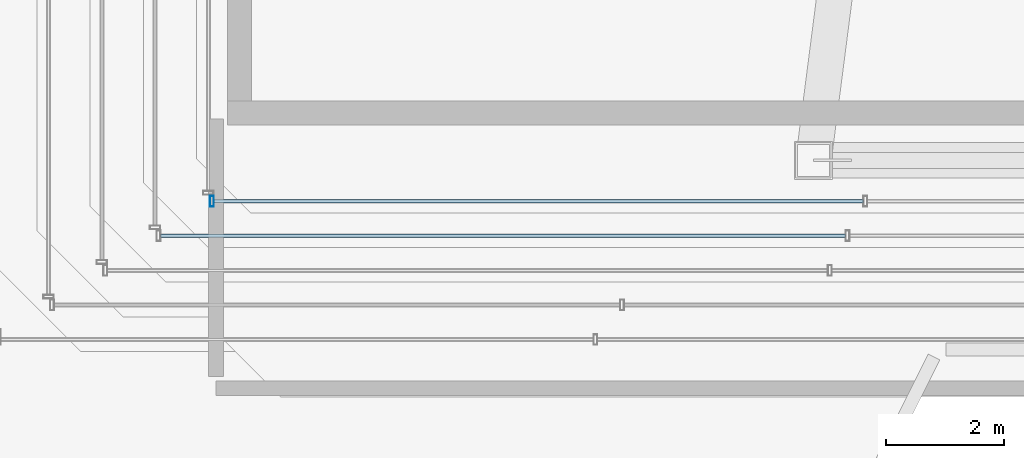
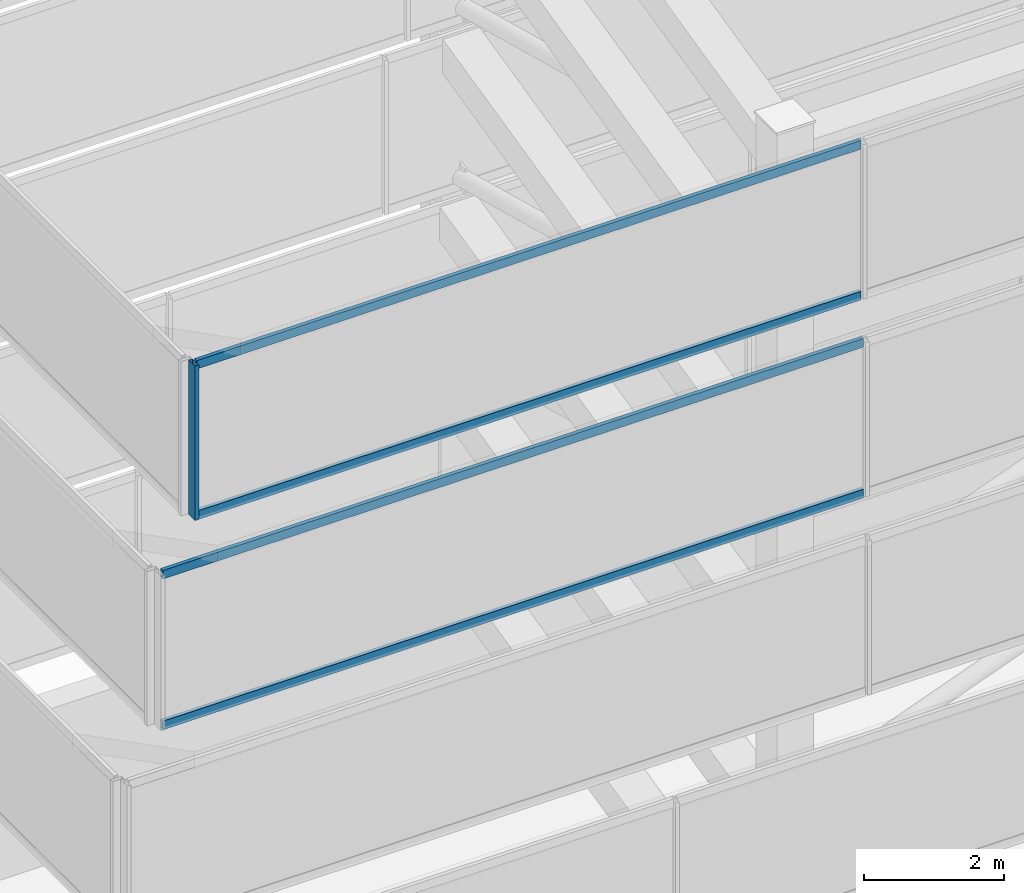
# One storey, part 3 of 29: 5 members, 2 elements without a shape of their own.
"""IFC4 building model written with IfcOpenShell, lengths in metres."""

from ifc_helpers import new_model, si_unit, direction, frame, origin, origin_2d, place, context, subcontext, project, spatial, hollow_rectangle, extrude, material, material_profile, profile_set, type_object, element, aggregate, save


model = new_model("IFC4")

# Units and contexts
model_context = context("Model", 3, precision=1e-05, world=origin(), true_north=direction((0.0, 1.0)))
body_context = subcontext(model_context, "Body", "Model", "MODEL_VIEW")
ifc_project = project(units=[si_unit("LENGTHUNIT", "METRE"), si_unit("AREAUNIT", "SQUARE_METRE"), si_unit("VOLUMEUNIT", "CUBIC_METRE"), si_unit("PLANEANGLEUNIT", "RADIAN"), si_unit("MASSUNIT", "GRAM", prefix="KILO")], contexts=[model_context])

# Site, building, storey
site_placement = place(None, origin())
site = spatial("IfcSite", under=ifc_project, at=site_placement, CompositionType="ELEMENT")
building_placement = place(site_placement, origin())
building = spatial("IfcBuilding", under=site, at=building_placement, Name="Saevonmaru Cultural Tower", CompositionType="ELEMENT")
storey_placement = place(building_placement, frame((0.0, 0.0, 327.60009765625)))
storey = spatial("IfcBuildingStorey", under=building, at=storey_placement, Name="RF", CompositionType="ELEMENT", Elevation=327.60009765625)

# Curtain wall, member
ifc_material = material(Name="Satin Bronze Anodised Aluminium", Category="aluminium")
curtain_wall_type = type_object("IfcCurtainWallType", Name="CW-TYP-B", PredefinedType="NOTDEFINED", material=ifc_material)
curtain_wall_1_placement = place(storey_placement, origin())
curtain_wall_1 = element("IfcCurtainWall", 1, at=curtain_wall_1_placement, inside=storey, type_object=curtain_wall_type, Name="RF Ziggurat Crown Tier 6 Bronze Louvre Screen 1", PredefinedType="NOTDEFINED")
ifc_material_profile_1 = material_profile(ifc_material, hollow_rectangle(XDim=0.06494140625, YDim=0.179931640625, WallThickness=0.00390625, at=origin_2d()), Name="ALU-MULL-180x65x4")
ifc_profile_set_1 = profile_set([ifc_material_profile_1], Name="Satin Bronze Anodised Aluminium")
member_type_1 = type_object("IfcMemberType", Name="ML-CW-180x65", PredefinedType="MULLION", material=ifc_profile_set_1)
member_1_placement = place(storey_placement, frame((13.43310546875, 41.7099609375, 15.0), z_axis=(0.0, 0.0, 1.0), x_axis=(1.0, 0.0, 0.0)))
member_1 = element("IfcMember", 2, at=member_1_placement, type_object=member_type_1, Name="CW-CROWN-T6-1 mullion 1", PredefinedType="MULLION", context=body_context, shape_type="SweptSolid", body=[
    extrude(hollow_rectangle(XDim=0.06494140625, YDim=0.179931640625, WallThickness=0.00390625, at=origin_2d()), origin(), (0.0, 0.0, 1.0), 2.699951171875),
])

# Curtain wall, members
curtain_wall_2_placement = place(storey_placement, origin())
curtain_wall_2 = element("IfcCurtainWall", 3, at=curtain_wall_2_placement, inside=storey, type_object=curtain_wall_type, Name="RF Ziggurat Crown Tier 5 Bronze Louvre Screen 1", PredefinedType="NOTDEFINED")
ifc_material_profile_2 = material_profile(ifc_material, hollow_rectangle(XDim=0.06494140625, YDim=0.14990234375, WallThickness=0.00390625, at=origin_2d()), Name="ALU-TRAN-150x65x4")
ifc_profile_set_2 = profile_set([ifc_material_profile_2], Name="Satin Bronze Anodised Aluminium")
member_type_2 = type_object("IfcMemberType", Name="TR-CW-150x65", PredefinedType="USERDEFINED", material=ifc_profile_set_2)
member_2_placement = place(storey_placement, frame((12.5654296875, 41.125, 12.032470703125), z_axis=(1.0, 0.0, 0.0), x_axis=(0.0, 1.0, 0.0)))
member_2 = element("IfcMember", 4, at=member_2_placement, type_object=member_type_2, Name="CW-CROWN-T5-1 transom 1.1", ObjectType="TRANSOM", PredefinedType="USERDEFINED", context=body_context, shape_type="SweptSolid", body=[
    extrude(hollow_rectangle(XDim=0.06494140625, YDim=0.14990234375, WallThickness=0.00390625, at=origin_2d()), origin(), (0.0, 0.0, 1.0), 11.579833984375),
])
member_3_placement = place(storey_placement, frame((12.5654296875, 41.125, 14.66748046875), z_axis=(1.0, 0.0, 0.0), x_axis=(0.0, 1.0, 0.0)))
member_3 = element("IfcMember", 5, at=member_3_placement, type_object=member_type_2, Name="CW-CROWN-T5-1 transom 1.2", ObjectType="TRANSOM", PredefinedType="USERDEFINED", context=body_context, shape_type="SweptSolid", body=[
    extrude(hollow_rectangle(XDim=0.06494140625, YDim=0.14990234375, WallThickness=0.00390625, at=origin_2d()), origin(), (0.0, 0.0, 1.0), 11.579833984375),
])
aggregate(curtain_wall_2, [member_2, member_3])

# Member
member_4_placement = place(storey_placement, frame((13.465576171875, 41.7099609375, 15.032470703125), z_axis=(1.0, 0.0, 0.0), x_axis=(0.0, 1.0, 0.0)))
member_4 = element("IfcMember", 6, at=member_4_placement, type_object=member_type_2, Name="CW-CROWN-T6-1 transom 1.1", ObjectType="TRANSOM", PredefinedType="USERDEFINED", context=body_context, shape_type="SweptSolid", body=[
    extrude(hollow_rectangle(XDim=0.06494140625, YDim=0.14990234375, WallThickness=0.00390625, at=origin_2d()), origin(), (0.0, 0.0, 1.0), 10.9794921875),
])

member_5_placement = place(storey_placement, frame((13.465576171875, 41.7099609375, 17.66748046875), z_axis=(1.0, 0.0, 0.0), x_axis=(0.0, 1.0, 0.0)))
member_5 = element("IfcMember", 7, at=member_5_placement, type_object=member_type_2, Name="CW-CROWN-T6-1 transom 1.2", ObjectType="TRANSOM", PredefinedType="USERDEFINED", context=body_context, shape_type="SweptSolid", body=[
    extrude(hollow_rectangle(XDim=0.06494140625, YDim=0.14990234375, WallThickness=0.00390625, at=origin_2d()), origin(), (0.0, 0.0, 1.0), 10.9794921875),
])

aggregate(curtain_wall_1, [member_1, member_4, member_5])

save(model, "model.ifc")
